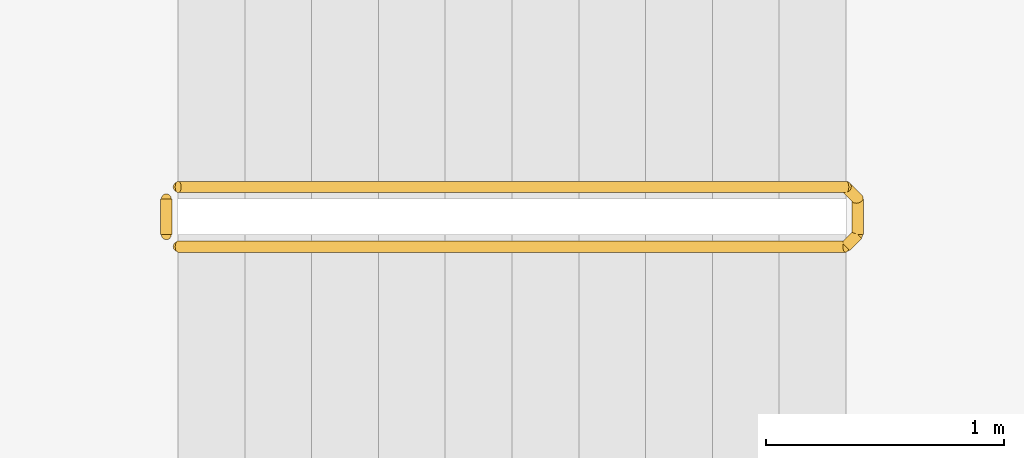
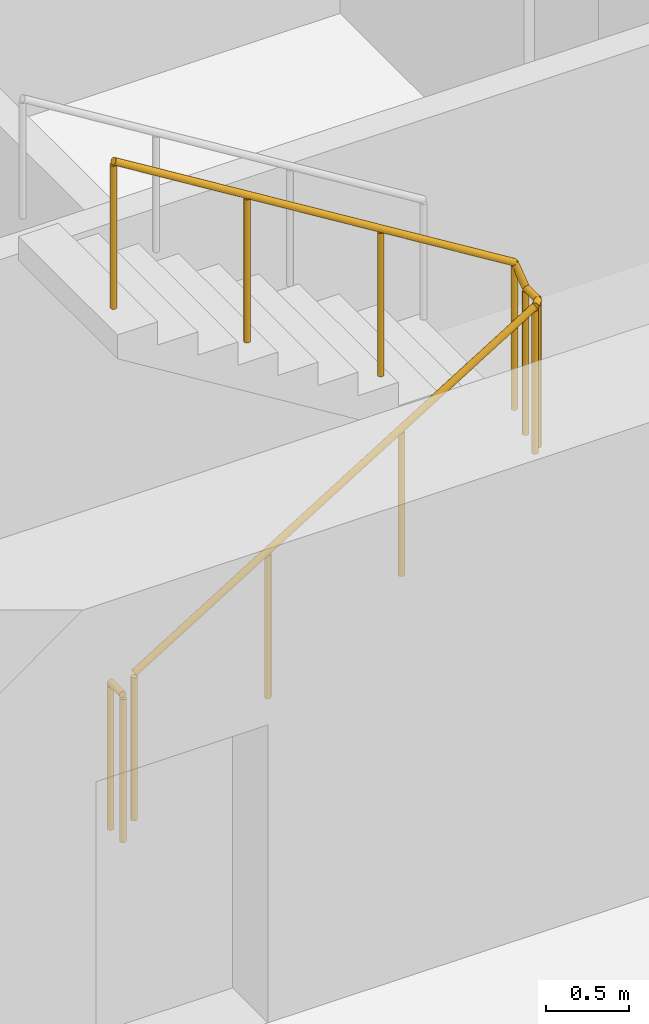
# One storey, part 10 of 14: 2 railings.
"""IFC4 building model written with IfcOpenShell, lengths in metres."""

from ifc_helpers import new_model, si_unit, direction, frame, origin, origin_2d, place, context, subcontext, project, spatial, circle, extrude, material, type_object, element, save


model = new_model("IFC4")

# Units and contexts
model_context = context("Model", 3, precision=1e-05, world=origin(), true_north=direction((0.0, 1.0)))
body_context = subcontext(model_context, "Body", "Model", "MODEL_VIEW")
ifc_project = project(units=[si_unit("LENGTHUNIT", "METRE"), si_unit("AREAUNIT", "SQUARE_METRE"), si_unit("VOLUMEUNIT", "CUBIC_METRE"), si_unit("PLANEANGLEUNIT", "RADIAN"), si_unit("MASSUNIT", "GRAM", prefix="KILO")], contexts=[model_context])

# Site, building, storey
site_placement = place(None, origin())
site = spatial("IfcSite", under=ifc_project, at=site_placement, CompositionType="ELEMENT")
building_placement = place(site_placement, origin())
building = spatial("IfcBuilding", under=site, at=building_placement, Name="Orbiselva Terraces", CompositionType="ELEMENT")
storey_placement = place(building_placement, frame((0.0, 0.0, 103.6)))
storey = spatial("IfcBuildingStorey", under=building, at=storey_placement, Name="L26", CompositionType="ELEMENT", Elevation=103.6)

# Railings
ifc_material = material(Name="Stainless steel", Category="steel")
railing_type = type_object("IfcRailingType", Name="CORE-GUARD-1100", PredefinedType="GUARDRAIL", material=ifc_material)
railing_1_placement = place(storey_placement, frame((-7.15, 6.55, 0.172727)))
element("IfcRailing", 1, at=railing_1_placement, inside=storey, type_object=railing_type, Name="L26 S3 stair guard 1", PredefinedType="GUARDRAIL", context=body_context, shape_type="SweptSolid", body=[
    extrude(circle(Radius=0.024, at=origin_2d()), frame((0.0, 0.0, 1.081), z_axis=(0.851088519012, 0.0, 0.52502222125), x_axis=(0.0, 1.0, 0.0)), (0.0, 0.0, 1.0), 3.289905),
    extrude(circle(Radius=0.024, at=origin_2d()), frame((2.8, 0.0, 2.808273), z_axis=(0.707106781187, 0.707106781187, 0.0), x_axis=(-0.707106781187, 0.707106781187, 0.0)), (0.0, 0.0, 1.0), 0.070711),
    extrude(circle(Radius=0.024, at=origin_2d()), frame((2.85, 0.05, 2.808273), z_axis=(0.0, 1.0, 0.0), x_axis=(-1.0, 0.0, 0.0)), (0.0, 0.0, 1.0), 0.15),
    extrude(circle(Radius=0.024, at=origin_2d()), frame((2.85, 0.2, 2.808273), z_axis=(-0.267894925557, 0.267894925557, 0.925453736133), x_axis=(-0.707106781187, -0.707106781187, 0.0)), (0.0, 0.0, 1.0), 0.18664),
    extrude(circle(Radius=0.024, at=origin_2d()), frame((2.8, 0.25, 2.981), z_axis=(-0.851088519012, 0.0, 0.52502222125), x_axis=(0.0, -1.0, 0.0)), (0.0, 0.0, 1.0), 3.289905),
    extrude(circle(Radius=0.021, at=origin_2d()), origin(), (0.0, 0.0, 1.0), 1.057),
    extrude(circle(Radius=0.021, at=origin_2d()), frame((0.933333, 0.0, 0.575758)), (0.0, 0.0, 1.0), 1.057),
    extrude(circle(Radius=0.021, at=origin_2d()), frame((1.866667, 0.0, 1.151515)), (0.0, 0.0, 1.0), 1.057),
    extrude(circle(Radius=0.021, at=origin_2d()), frame((2.8, 0.0, 1.727273)), (0.0, 0.0, 1.0), 1.057),
    extrude(circle(Radius=0.021, at=origin_2d()), frame((2.85, 0.05, 1.727273)), (0.0, 0.0, 1.0), 1.057),
    extrude(circle(Radius=0.021, at=origin_2d()), frame((2.85, 0.2, 1.727273)), (0.0, 0.0, 1.0), 1.057),
    extrude(circle(Radius=0.021, at=origin_2d()), frame((2.8, 0.25, 1.9)), (0.0, 0.0, 1.0), 1.057),
    extrude(circle(Radius=0.021, at=origin_2d()), frame((1.866667, 0.25, 2.475758)), (0.0, 0.0, 1.0), 1.057),
    extrude(circle(Radius=0.021, at=origin_2d()), frame((0.933333, 0.25, 3.051515)), (0.0, 0.0, 1.0), 1.057),
    extrude(circle(Radius=0.021, at=origin_2d()), frame((0.0, 0.25, 3.627273)), (0.0, 0.0, 1.0), 1.057),
])
railing_2_placement = place(storey_placement, frame((-7.2, 6.6, 0.0)))
element("IfcRailing", 2, at=railing_2_placement, inside=storey, type_object=railing_type, Name="L26 S3 stair guard 2", PredefinedType="GUARDRAIL", context=body_context, shape_type="SweptSolid", body=[
    extrude(circle(Radius=0.024, at=origin_2d()), frame((0.0, 0.0, 1.081), z_axis=(0.0, 1.0, 0.0), x_axis=(-1.0, 0.0, 0.0)), (0.0, 0.0, 1.0), 0.15),
    extrude(circle(Radius=0.021, at=origin_2d()), origin(), (0.0, 0.0, 1.0), 1.057),
    extrude(circle(Radius=0.021, at=origin_2d()), frame((0.0, 0.15, 0.0)), (0.0, 0.0, 1.0), 1.057),
])

save(model, "model.ifc")
